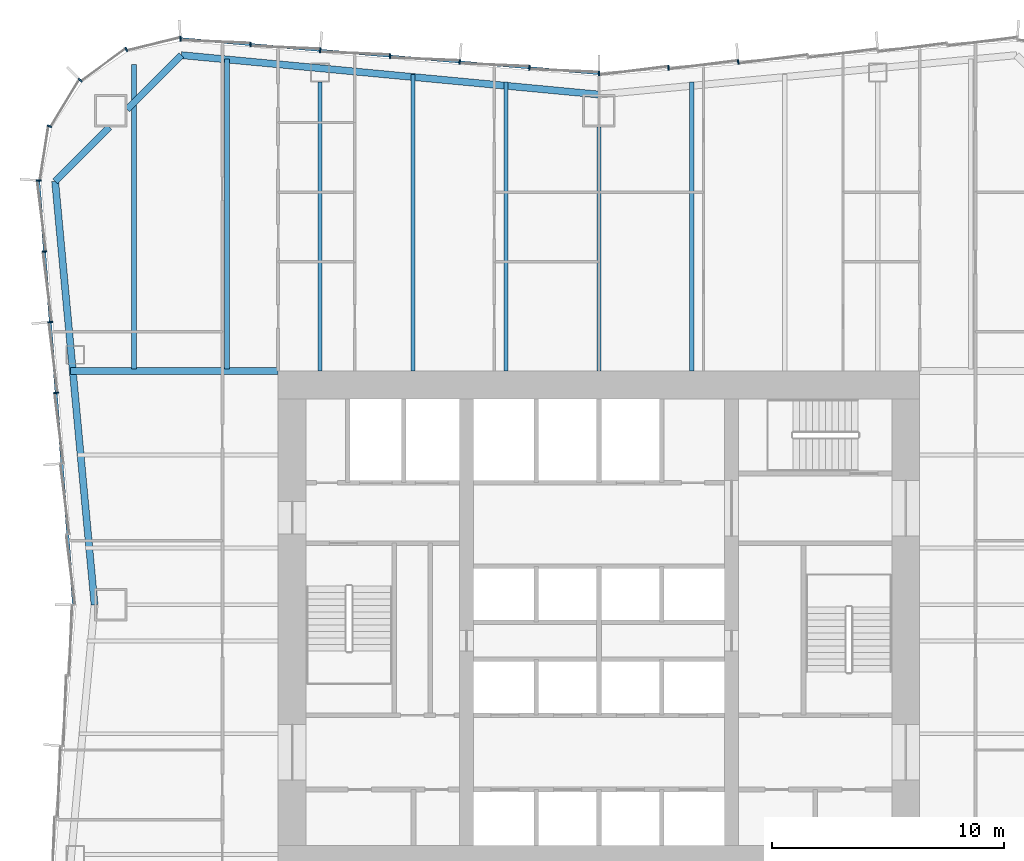
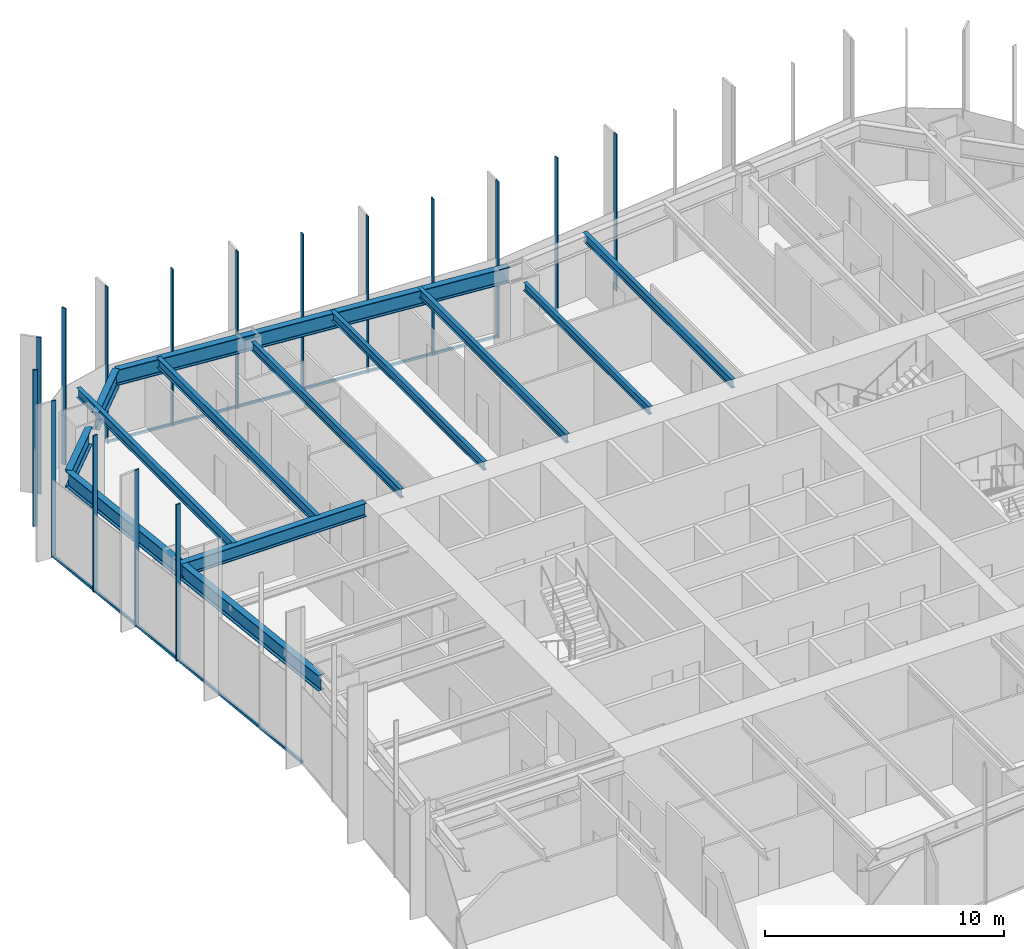
# One storey, part 5 of 13: 18 members, 12 beams, 3 elements without a shape of their own.
"""IFC4 building model written with IfcOpenShell, lengths in metres."""

from ifc_helpers import new_model, si_unit, direction, frame, origin, origin_2d, place, context, subcontext, project, spatial, rectangle, i_section, extrude, material, material_profile, profile_set, type_object, element, aggregate, save


model = new_model("IFC4")

# Units and contexts
model_context = context("Model", 3, precision=1e-05, world=origin(), true_north=direction((0.0, 1.0)))
body_context = subcontext(model_context, "Body", "Model", "MODEL_VIEW")
ifc_project = project(units=[si_unit("LENGTHUNIT", "METRE"), si_unit("AREAUNIT", "SQUARE_METRE"), si_unit("VOLUMEUNIT", "CUBIC_METRE"), si_unit("PLANEANGLEUNIT", "RADIAN"), si_unit("MASSUNIT", "GRAM", prefix="KILO")], contexts=[model_context])

# Site, building, storey
site_placement = place(None, origin())
site = spatial("IfcSite", under=ifc_project, at=site_placement, CompositionType="ELEMENT")
building_placement = place(site_placement, origin())
building = spatial("IfcBuilding", under=site, at=building_placement, Name="Verdant Reach Tower", CompositionType="ELEMENT")
storey_placement = place(building_placement, frame((0.0, 0.0, 106.0)))
storey = spatial("IfcBuildingStorey", under=building, at=storey_placement, Name="L24", CompositionType="ELEMENT", Elevation=106.0)

# Curtain wall, members
ifc_material_1 = material(Name="Anodised aluminium", Category="aluminium")
curtain_wall_type = type_object("IfcCurtainWallType", Name="EN-CW SYSTEM Z1", PredefinedType="NOTDEFINED", material=ifc_material_1)
curtain_wall_1_placement = place(storey_placement, origin())
curtain_wall_1 = element("IfcCurtainWall", 1, at=curtain_wall_1_placement, inside=storey, type_object=curtain_wall_type, Name="Curtain wall north, L24", PredefinedType="NOTDEFINED")
ifc_material_profile_1 = material_profile(ifc_material_1, rectangle(XDim=0.2060546875, YDim=0.06201171875, at=origin_2d()), Name="Mullion 62x206")
ifc_profile_set_1 = profile_set([ifc_material_profile_1], Name="Anodised aluminium")
member_type_1 = type_object("IfcMemberType", Name="EN-MULLION Z1", PredefinedType="MULLION", material=ifc_profile_set_1)
member_1_placement = place(storey_placement, frame((5.991455078125, 52.1025390625, -0.35009765625), z_axis=(0.0, 0.0, 1.0), x_axis=(-0.083045479859, 0.996545758244, 0.0)))
member_1 = element("IfcMember", 2, at=member_1_placement, type_object=member_type_1, Name="Mullion north face part 1 5, L24", PredefinedType="MULLION", context=body_context, shape_type="SweptSolid", body=[
    extrude(rectangle(XDim=0.2060546875, YDim=0.06201171875, at=origin_2d()), origin(), (0.0, 0.0, 1.0), 8.0),
])
member_2_placement = place(storey_placement, frame((2.991455078125, 51.8525390625, -0.35009765625), z_axis=(0.0, 0.0, 1.0), x_axis=(-0.083045479859, 0.996545758244, 0.0)))
member_2 = element("IfcMember", 3, at=member_2_placement, type_object=member_type_1, Name="Mullion north face part 1 6, L24", PredefinedType="MULLION", context=body_context, shape_type="SweptSolid", body=[
    extrude(rectangle(XDim=0.2060546875, YDim=0.06201171875, at=origin_2d()), origin(), (0.0, 0.0, 1.0), 8.0),
])
member_3_placement = place(storey_placement, frame((0.0, 51.60302734375, -0.35009765625), z_axis=(0.0, 0.0, 1.0), x_axis=(0.0, 1.0, 0.0)))
member_3 = element("IfcMember", 4, at=member_3_placement, type_object=member_type_1, Name="Mullion north face part 2 1, L24", PredefinedType="MULLION", context=body_context, shape_type="SweptSolid", body=[
    extrude(rectangle(XDim=0.2060546875, YDim=0.06201171875, at=origin_2d()), origin(), (0.0, 0.0, 1.0), 8.0),
])
member_4_placement = place(storey_placement, frame((-2.991455078125, 51.8525390625, -0.35009765625), z_axis=(0.0, 0.0, 1.0), x_axis=(0.083045479859, 0.996545758244, 0.0)))
member_4 = element("IfcMember", 5, at=member_4_placement, type_object=member_type_1, Name="Mullion north face part 2 2, L24", PredefinedType="MULLION", context=body_context, shape_type="SweptSolid", body=[
    extrude(rectangle(XDim=0.2060546875, YDim=0.06201171875, at=origin_2d()), origin(), (0.0, 0.0, 1.0), 8.0),
])
member_5_placement = place(storey_placement, frame((-5.991455078125, 52.1025390625, -0.35009765625), z_axis=(0.0, 0.0, 1.0), x_axis=(0.083045479859, 0.996545758244, 0.0)))
member_5 = element("IfcMember", 6, at=member_5_placement, type_object=member_type_1, Name="Mullion north face part 2 3, L24", PredefinedType="MULLION", context=body_context, shape_type="SweptSolid", body=[
    extrude(rectangle(XDim=0.2060546875, YDim=0.06201171875, at=origin_2d()), origin(), (0.0, 0.0, 1.0), 8.0),
])
member_6_placement = place(storey_placement, frame((-8.991455078125, 52.3525390625, -0.35009765625), z_axis=(0.0, 0.0, 1.0), x_axis=(0.083045479859, 0.996545758244, 0.0)))
member_6 = element("IfcMember", 7, at=member_6_placement, type_object=member_type_1, Name="Mullion north face part 2 4, L24", PredefinedType="MULLION", context=body_context, shape_type="SweptSolid", body=[
    extrude(rectangle(XDim=0.2060546875, YDim=0.06201171875, at=origin_2d()), origin(), (0.0, 0.0, 1.0), 8.0),
])
member_7_placement = place(storey_placement, frame((-11.991455078125, 52.6025390625, -0.35009765625), z_axis=(0.0, 0.0, 1.0), x_axis=(0.083045479859, 0.996545758244, 0.0)))
member_7 = element("IfcMember", 8, at=member_7_placement, type_object=member_type_1, Name="Mullion north face part 2 5, L24", PredefinedType="MULLION", context=body_context, shape_type="SweptSolid", body=[
    extrude(rectangle(XDim=0.2060546875, YDim=0.06201171875, at=origin_2d()), origin(), (0.0, 0.0, 1.0), 8.0),
])
member_8_placement = place(storey_placement, frame((-14.991455078125, 52.8525390625, -0.35009765625), z_axis=(0.0, 0.0, 1.0), x_axis=(0.083045479859, 0.996545758244, 0.0)))
member_8 = element("IfcMember", 9, at=member_8_placement, type_object=member_type_1, Name="Mullion north face part 2 6, L24", PredefinedType="MULLION", context=body_context, shape_type="SweptSolid", body=[
    extrude(rectangle(XDim=0.2060546875, YDim=0.06201171875, at=origin_2d()), origin(), (0.0, 0.0, 1.0), 8.0),
])

curtain_wall_2_placement = place(storey_placement, origin())
curtain_wall_2 = element("IfcCurtainWall", 10, at=curtain_wall_2_placement, inside=storey, type_object=curtain_wall_type, Name="Curtain wall north-west corner, L24", PredefinedType="NOTDEFINED")
member_9_placement = place(storey_placement, frame((-18.005859375, 53.102783203125, -0.35009765625), z_axis=(0.0, 0.0, 1.0), x_axis=(-0.056569187765, 0.998398681387, 0.0)))
member_9 = element("IfcMember", 11, at=member_9_placement, type_object=member_type_1, Name="Mullion north-west corner 1, L24", PredefinedType="MULLION", context=body_context, shape_type="SweptSolid", body=[
    extrude(rectangle(XDim=0.2060546875, YDim=0.06201171875, at=origin_2d()), origin(), (0.0, 0.0, 1.0), 8.0),
])
member_10_placement = place(storey_placement, frame((-20.33544921875, 52.638427734375, -0.35009765625), z_axis=(0.0, 0.0, 1.0), x_axis=(-0.382693853776, 0.923875215753, 0.0)))
member_10 = element("IfcMember", 12, at=member_10_placement, type_object=member_type_1, Name="Mullion north-west corner 2, L24", PredefinedType="MULLION", context=body_context, shape_type="SweptSolid", body=[
    extrude(rectangle(XDim=0.2060546875, YDim=0.06201171875, at=origin_2d()), origin(), (0.0, 0.0, 1.0), 8.0),
])
member_11_placement = place(storey_placement, frame((-22.3154296875, 51.3154296875, -0.35009765625), z_axis=(0.0, 0.0, 1.0), x_axis=(-0.707106781187, 0.707106781187, 0.0)))
member_11 = element("IfcMember", 13, at=member_11_placement, type_object=member_type_1, Name="Mullion north-west corner 3, L24", PredefinedType="MULLION", context=body_context, shape_type="SweptSolid", body=[
    extrude(rectangle(XDim=0.2060546875, YDim=0.06201171875, at=origin_2d()), origin(), (0.0, 0.0, 1.0), 8.0),
])
member_12_placement = place(storey_placement, frame((-23.638427734375, 49.33544921875, -0.35009765625), z_axis=(0.0, 0.0, 1.0), x_axis=(-0.923875215753, 0.382693853776, 0.0)))
member_12 = element("IfcMember", 14, at=member_12_placement, type_object=member_type_1, Name="Mullion north-west corner 4, L24", PredefinedType="MULLION", context=body_context, shape_type="SweptSolid", body=[
    extrude(rectangle(XDim=0.2060546875, YDim=0.06201171875, at=origin_2d()), origin(), (0.0, 0.0, 1.0), 8.0),
])
aggregate(curtain_wall_2, [member_9, member_10, member_11, member_12])

curtain_wall_3_placement = place(storey_placement, origin())
curtain_wall_3 = element("IfcCurtainWall", 15, at=curtain_wall_3_placement, inside=storey, type_object=curtain_wall_type, Name="Curtain wall west, L24", PredefinedType="NOTDEFINED")
member_13_placement = place(storey_placement, frame((-24.102783203125, 47.005859375, -0.35009765625), z_axis=(0.0, 0.0, 1.0), x_axis=(-0.998366452275, 0.057135164055, 0.0)))
member_13 = element("IfcMember", 16, at=member_13_placement, type_object=member_type_1, Name="Mullion west face part 1 1, L24", PredefinedType="MULLION", context=body_context, shape_type="SweptSolid", body=[
    extrude(rectangle(XDim=0.2060546875, YDim=0.06201171875, at=origin_2d()), origin(), (0.0, 0.0, 1.0), 8.0),
])
member_14_placement = place(storey_placement, frame((-23.8525390625, 43.949951171875, -0.35009765625), z_axis=(0.0, 0.0, 1.0), x_axis=(-0.996639273542, -0.081915556724, 0.0)))
member_14 = element("IfcMember", 17, at=member_14_placement, type_object=member_type_1, Name="Mullion west face part 1 2, L24", PredefinedType="MULLION", context=body_context, shape_type="SweptSolid", body=[
    extrude(rectangle(XDim=0.2060546875, YDim=0.06201171875, at=origin_2d()), origin(), (0.0, 0.0, 1.0), 8.0),
])
member_15_placement = place(storey_placement, frame((-23.6025390625, 40.908203125, -0.35009765625), z_axis=(0.0, 0.0, 1.0), x_axis=(-0.996639273542, -0.081915556724, 0.0)))
member_15 = element("IfcMember", 18, at=member_15_placement, type_object=member_type_1, Name="Mullion west face part 1 3, L24", PredefinedType="MULLION", context=body_context, shape_type="SweptSolid", body=[
    extrude(rectangle(XDim=0.2060546875, YDim=0.06201171875, at=origin_2d()), origin(), (0.0, 0.0, 1.0), 8.0),
])
member_16_placement = place(storey_placement, frame((-23.3525390625, 37.866455078125, -0.35009765625), z_axis=(0.0, 0.0, 1.0), x_axis=(-0.996639273542, -0.081915556724, 0.0)))
member_16 = element("IfcMember", 19, at=member_16_placement, type_object=member_type_1, Name="Mullion west face part 1 4, L24", PredefinedType="MULLION", context=body_context, shape_type="SweptSolid", body=[
    extrude(rectangle(XDim=0.2060546875, YDim=0.06201171875, at=origin_2d()), origin(), (0.0, 0.0, 1.0), 8.0),
])

# Member
ifc_material_profile_2 = material_profile(ifc_material_1, rectangle(XDim=0.10009765625, YDim=0.1220703125, at=origin_2d()), Name="Transom 122x100")
ifc_profile_set_2 = profile_set([ifc_material_profile_2], Name="Anodised aluminium")
member_type_2 = type_object("IfcMemberType", Name="EN-TRANSOM Z1", PredefinedType="USERDEFINED", material=ifc_profile_set_2)
member_17_placement = place(storey_placement, frame((-0.031005859375, 51.60546875, -0.2890625), z_axis=(-0.996547815143, 0.083020793384, 0.0), x_axis=(-0.083020793384, -0.996547815143, 0.0)))
member_17 = element("IfcMember", 20, at=member_17_placement, type_object=member_type_2, Name="Transom north face part 2 1.1, L24", ObjectType="TRANSOM", PredefinedType="USERDEFINED", context=body_context, shape_type="SweptSolid", body=[
    extrude(rectangle(XDim=0.10009765625, YDim=0.1220703125, at=origin_2d()), origin(), (0.0, 0.0, 1.0), 18.006103515625),
])

aggregate(curtain_wall_1, [member_1, member_2, member_3, member_4, member_5, member_6, member_7, member_8, member_17])

member_18_placement = place(storey_placement, frame((-24.100341796875, 46.97509765625, -0.2890625), z_axis=(0.081886623329, -0.996641651207, 0.0), x_axis=(0.996641651207, 0.081886623329, 0.0)))
member_18 = element("IfcMember", 21, at=member_18_placement, type_object=member_type_2, Name="Transom west face part 1 1.1, L24", ObjectType="TRANSOM", PredefinedType="USERDEFINED", context=body_context, shape_type="SweptSolid", body=[
    extrude(rectangle(XDim=0.10009765625, YDim=0.1220703125, at=origin_2d()), origin(), (0.0, 0.0, 1.0), 18.25537109375),
])

aggregate(curtain_wall_3, [member_13, member_14, member_15, member_16, member_18])

# Beams
ifc_material_2 = material(Name="Steel S355", Category="steel")
ifc_material_profile_3 = material_profile(ifc_material_2, i_section(OverallWidth=0.300048828125, OverallDepth=0.699951171875, WebThickness=0.01708984375, FlangeThickness=0.031982421875, FilletRadius=0.027099609375, at=origin_2d()), Name="HEB 700")
ifc_profile_set_3 = profile_set([ifc_material_profile_3], Name="Steel S355")
beam_type_1 = type_object("IfcBeamType", Name="ST-BEAM-HEB700", PredefinedType="BEAM", material=ifc_profile_set_3)
beam_1_placement = place(storey_placement, frame((-13.800048828125, 38.800048828125, 3.52001953125), z_axis=(-1.0, 0.0, 0.0), x_axis=(0.0, -1.0, 0.0)))
element("IfcBeam", 22, at=beam_1_placement, inside=storey, type_object=beam_type_1, Name="Trimmer beam, L24", PredefinedType="BEAM", context=body_context, shape_type="SweptSolid", body=[
    extrude(i_section(OverallWidth=0.300048828125, OverallDepth=0.699951171875, WebThickness=0.01708984375, FlangeThickness=0.031982421875, FilletRadius=0.027099609375, at=origin_2d()), origin(), (0.0, 0.0, 1.0), 8.924072265625),
])
ifc_material_profile_4 = material_profile(ifc_material_2, i_section(OverallWidth=0.179931640625, OverallDepth=0.39990234375, WebThickness=0.008544921875, FlangeThickness=0.013427734375, FilletRadius=0.02099609375, at=origin_2d()), Name="IPE 400")
ifc_profile_set_4 = profile_set([ifc_material_profile_4], Name="Steel S355")
beam_type_2 = type_object("IfcBeamType", Name="ST-JOIST-IPE400", PredefinedType="JOIST", material=ifc_profile_set_4)
beam_2_placement = place(storey_placement, frame((0.0, 38.800048828125, 3.669921875), z_axis=(0.0, 1.0, 0.0), x_axis=(-1.0, 0.0, 0.0)))
element("IfcBeam", 23, at=beam_2_placement, inside=storey, type_object=beam_type_2, Name="Floor joist, L24", PredefinedType="JOIST", context=body_context, shape_type="SweptSolid", body=[
    extrude(i_section(OverallWidth=0.179931640625, OverallDepth=0.39990234375, WebThickness=0.008544921875, FlangeThickness=0.013427734375, FilletRadius=0.02099609375, at=origin_2d()), origin(), (0.0, 0.0, 1.0), 10.5),
])
ifc_material_profile_5 = material_profile(ifc_material_2, i_section(OverallWidth=0.18994140625, OverallDepth=0.449951171875, WebThickness=0.009521484375, FlangeThickness=0.0146484375, FilletRadius=0.02099609375, at=origin_2d()), Name="IPE 450")
ifc_profile_set_5 = profile_set([ifc_material_profile_5], Name="Steel S355")
beam_type_3 = type_object("IfcBeamType", Name="ST-JOIST-IPE450", PredefinedType="JOIST", material=ifc_profile_set_5)
beam_3_placement = place(storey_placement, frame((-12.0, 38.800048828125, 3.64501953125), z_axis=(0.0, 1.0, 0.0), x_axis=(-1.0, 0.0, 0.0)))
element("IfcBeam", 24, at=beam_3_placement, inside=storey, type_object=beam_type_3, Name="Floor joist, L24", PredefinedType="JOIST", context=body_context, shape_type="SweptSolid", body=[
    extrude(i_section(OverallWidth=0.18994140625, OverallDepth=0.449951171875, WebThickness=0.009521484375, FlangeThickness=0.0146484375, FilletRadius=0.02099609375, at=origin_2d()), origin(), (0.0, 0.0, 1.0), 12.449951171875),
])
beam_4_placement = place(storey_placement, frame((-8.0, 38.800048828125, 3.64501953125), z_axis=(0.0, 1.0, 0.0), x_axis=(-1.0, 0.0, 0.0)))
element("IfcBeam", 25, at=beam_4_placement, inside=storey, type_object=beam_type_3, Name="Floor joist, L24", PredefinedType="JOIST", context=body_context, shape_type="SweptSolid", body=[
    extrude(i_section(OverallWidth=0.18994140625, OverallDepth=0.449951171875, WebThickness=0.009521484375, FlangeThickness=0.0146484375, FilletRadius=0.02099609375, at=origin_2d()), origin(), (0.0, 0.0, 1.0), 12.7646484375),
])
for number, where, z_axis, x_axis, name in (
    (26, (-4.0, 38.800048828125, 3.64501953125), (0.0, 1.0, 0.0), (-1.0, 0.0, 0.0), "Floor joist, L24"),
    (27, (4.0, 38.800048828125, 3.64501953125), (0.0, 1.0, 0.0), (-1.0, 0.0, 0.0), "Floor joist, L24"),
):
    element("IfcBeam", number, at=place(storey_placement, frame(where, z_axis=z_axis, x_axis=x_axis)), inside=storey, type_object=beam_type_3, Name=name, PredefinedType="JOIST", context=body_context, shape_type="SweptSolid", body=[
        extrude(i_section(OverallWidth=0.18994140625, OverallDepth=0.449951171875, WebThickness=0.009521484375, FlangeThickness=0.0146484375, FilletRadius=0.02099609375, at=origin_2d()), origin(), (0.0, 0.0, 1.0), 12.43115234375),
    ])
ifc_material_profile_6 = material_profile(ifc_material_2, i_section(OverallWidth=0.199951171875, OverallDepth=0.5, WebThickness=0.01025390625, FlangeThickness=0.01611328125, FilletRadius=0.02099609375, at=origin_2d()), Name="IPE 500")
ifc_profile_set_6 = profile_set([ifc_material_profile_6], Name="Steel S355")
beam_type_4 = type_object("IfcBeamType", Name="ST-JOIST-IPE500", PredefinedType="JOIST", material=ifc_profile_set_6)
beam_5_placement = place(storey_placement, frame((-20.0, 38.89990234375, 3.6201171875), z_axis=(0.0, 1.0, 0.0), x_axis=(-1.0, 0.0, 0.0)))
element("IfcBeam", 28, at=beam_5_placement, inside=storey, type_object=beam_type_4, Name="Floor joist, L24", PredefinedType="JOIST", context=body_context, shape_type="SweptSolid", body=[
    extrude(i_section(OverallWidth=0.199951171875, OverallDepth=0.5, WebThickness=0.01025390625, FlangeThickness=0.01611328125, FilletRadius=0.02099609375, at=origin_2d()), origin(), (0.0, 0.0, 1.0), 13.090576171875),
])
beam_6_placement = place(storey_placement, frame((-16.0, 38.89990234375, 3.6201171875), z_axis=(0.0, 1.0, 0.0), x_axis=(-1.0, 0.0, 0.0)))
element("IfcBeam", 29, at=beam_6_placement, inside=storey, type_object=beam_type_4, Name="Floor joist, L24", PredefinedType="JOIST", context=body_context, shape_type="SweptSolid", body=[
    extrude(i_section(OverallWidth=0.199951171875, OverallDepth=0.5, WebThickness=0.01025390625, FlangeThickness=0.01611328125, FilletRadius=0.02099609375, at=origin_2d()), origin(), (0.0, 0.0, 1.0), 13.331298828125),
])
ifc_material_profile_7 = material_profile(ifc_material_2, i_section(OverallWidth=0.300048828125, OverallDepth=0.800048828125, WebThickness=0.017578125, FlangeThickness=0.032958984375, FilletRadius=0.030029296875, at=origin_2d()), Name="HEB 800")
ifc_profile_set_7 = profile_set([ifc_material_profile_7], Name="Steel S355")
beam_type_5 = type_object("IfcBeamType", Name="ST-SPANDREL-HEB800", PredefinedType="SPANDREL", material=ifc_profile_set_7)
beam_7_placement = place(storey_placement, frame((-21.699951171875, 28.75, 3.469970703125), z_axis=(-0.092656907618, 0.995698095544, 0.0), x_axis=(-0.995698095544, -0.092656907618, 0.0)))
element("IfcBeam", 30, at=beam_7_placement, inside=storey, type_object=beam_type_5, Name="Edge beam, L24", PredefinedType="SPANDREL", context=body_context, shape_type="SweptSolid", body=[
    extrude(i_section(OverallWidth=0.300048828125, OverallDepth=0.800048828125, WebThickness=0.017578125, FlangeThickness=0.032958984375, FilletRadius=0.030029296875, at=origin_2d()), origin(), (0.0, 0.0, 1.0), 18.2939453125),
])
beam_8_placement = place(storey_placement, frame((-17.9658203125, 52.39501953125, 3.469970703125), z_axis=(0.995578571765, -0.093932462137, 0.0), x_axis=(0.093932462137, 0.995578571765, 0.0)))
element("IfcBeam", 31, at=beam_8_placement, inside=storey, type_object=beam_type_5, Name="Edge beam, L24", PredefinedType="SPANDREL", context=body_context, shape_type="SweptSolid", body=[
    extrude(i_section(OverallWidth=0.300048828125, OverallDepth=0.800048828125, WebThickness=0.017578125, FlangeThickness=0.032958984375, FilletRadius=0.030029296875, at=origin_2d()), origin(), (0.0, 0.0, 1.0), 18.045654296875),
])
ifc_material_profile_8 = material_profile(ifc_material_2, i_section(OverallWidth=0.302001953125, OverallDepth=0.909912109375, WebThickness=0.02099609375, FlangeThickness=0.0400390625, FilletRadius=0.030029296875, at=origin_2d()), Name="HEM 900")
ifc_profile_set_8 = profile_set([ifc_material_profile_8], Name="Steel S355")
beam_type_6 = type_object("IfcBeamType", Name="ST-SPANDREL-HEM900", PredefinedType="SPANDREL", material=ifc_profile_set_8)
beam_9_placement = place(storey_placement, frame((-23.39501953125, 46.96533203125, 3.4150390625), z_axis=(0.707069807316, 0.707143753123, 0.0), x_axis=(-0.707143753123, 0.707069807316, 0.0)))
element("IfcBeam", 32, at=beam_9_placement, inside=storey, type_object=beam_type_6, Name="Edge beam, L24", PredefinedType="SPANDREL", context=body_context, shape_type="SweptSolid", body=[
    extrude(i_section(OverallWidth=0.302001953125, OverallDepth=0.909912109375, WebThickness=0.02099609375, FlangeThickness=0.0400390625, FilletRadius=0.030029296875, at=origin_2d()), origin(), (0.0, 0.0, 1.0), 3.301513671875),
])
beam_10_placement = place(storey_placement, frame((-20.300048828125, 50.060791015625, 3.4150390625), z_axis=(0.707106781187, 0.707106781187, 0.0), x_axis=(-0.707106781187, 0.707106781187, 0.0)))
element("IfcBeam", 33, at=beam_10_placement, inside=storey, type_object=beam_type_6, Name="Edge beam, L24", PredefinedType="SPANDREL", context=body_context, shape_type="SweptSolid", body=[
    extrude(i_section(OverallWidth=0.302001953125, OverallDepth=0.909912109375, WebThickness=0.02099609375, FlangeThickness=0.0400390625, FilletRadius=0.030029296875, at=origin_2d()), origin(), (0.0, 0.0, 1.0), 3.301025390625),
])

save(model, "model.ifc")
